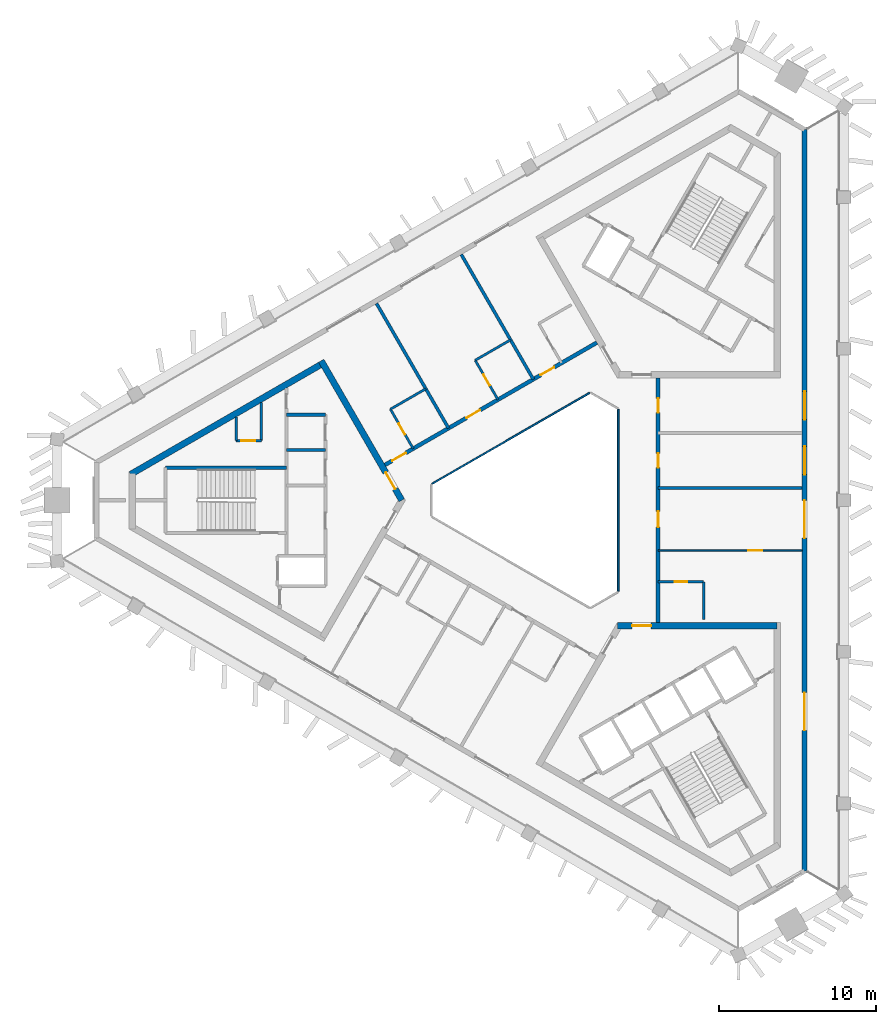
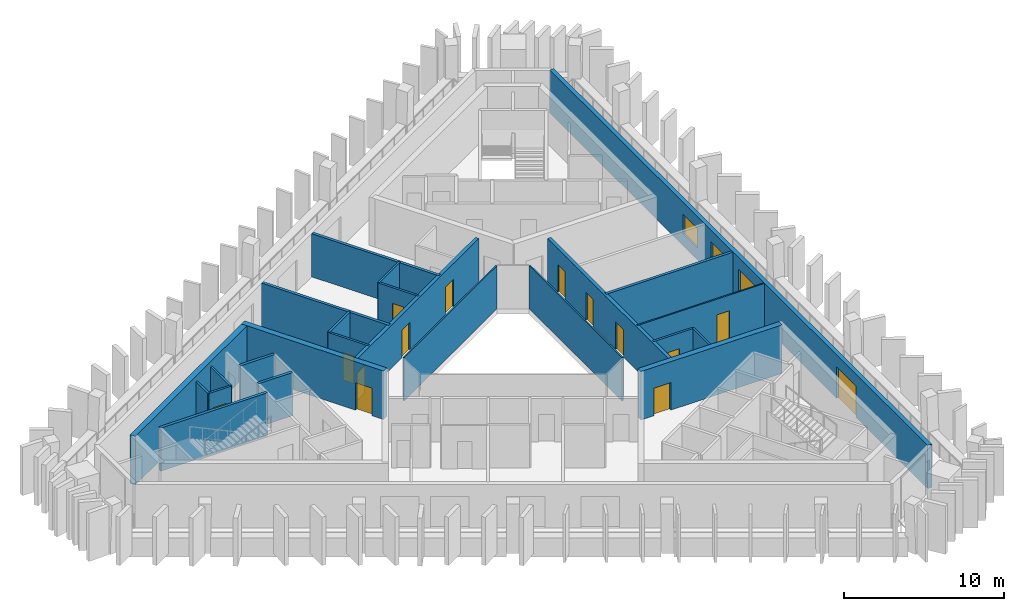
# One storey, part 4 of 9: 24 walls, 15 doors, 2 windows, 17 openings.
"""IFC4 building model written with IfcOpenShell, lengths in metres."""

from ifc_helpers import new_model, si_unit, direction, frame, frame_2d, origin, place, context, subcontext, project, spatial, rectangle, extrude, material, layer, layer_set, type_object, element, fill, save


model = new_model("IFC4")

# Units and contexts
model_context = context("Model", 3, precision=1e-05, world=origin(), true_north=direction((0.0, 1.0)))
body_context = subcontext(model_context, "Body", "Model", "MODEL_VIEW")
ifc_project = project(units=[si_unit("LENGTHUNIT", "METRE"), si_unit("AREAUNIT", "SQUARE_METRE"), si_unit("VOLUMEUNIT", "CUBIC_METRE"), si_unit("PLANEANGLEUNIT", "RADIAN"), si_unit("MASSUNIT", "GRAM", prefix="KILO")], contexts=[model_context])

# Site, building, storey
site_placement = place(None, origin())
site = spatial("IfcSite", under=ifc_project, at=site_placement, CompositionType="ELEMENT")
building_placement = place(site_placement, origin())
building = spatial("IfcBuilding", under=site, at=building_placement, Name="Jabali Bay Hotel Tower and Convention Centre", CompositionType="ELEMENT")
storey_placement = place(building_placement, frame((0.0, 0.0, 281.199951171875)))
storey = spatial("IfcBuildingStorey", under=building, at=storey_placement, Name="L69", CompositionType="ELEMENT", Elevation=281.199951171875)

# Walls
ifc_material_1 = material(Name="Fire-resistant glazing", Category="glass")
ifc_layer_1 = layer(ifc_material_1, 0.10009765625)
ifc_layer_set_1 = layer_set([ifc_layer_1], Name="Fire-resistant glazing")
wall_type_1 = type_object("IfcWallType", Name="Atrium glazed screen 100", PredefinedType="PARTITIONING", material=ifc_layer_set_1)
for number, where, z_axis, x_axis, name in (
    (1, (79.56005859375, 74.205810546875, 0.0), (0.0, 0.0, 1.0), (0.0, 1.0, 0.0), "Atrium screen 1 L69"),
    (2, (77.738037109375, 86.84619140625, 0.0), (0.0, 0.0, 1.0), (-0.866026658274, -0.499997827154, 0.0), "Atrium screen 3 L69"),
):
    element("IfcWall", number, at=place(storey_placement, frame(where, z_axis=z_axis, x_axis=x_axis)), inside=storey, type_object=wall_type_1, Name=name, PredefinedType="PARTITIONING", context=body_context, shape_type="SweptSolid", body=[
        extrude(rectangle(XDim=11.58837890625, YDim=0.10009765625, at=frame_2d((5.794189453125, 0.0))), origin(), (0.0, 0.0, 1.0), 3.300048828125),
    ])

# Wall, opening, door
ifc_material_2 = material(Name="Fire-rated board partition")
ifc_layer_2 = layer(ifc_material_2, 0.14990234375)
ifc_layer_set_2 = layer_set([ifc_layer_2], Name="Fire-rated board partition")
wall_type_2 = type_object("IfcWallType", Name="Core room partition 150", PredefinedType="PARTITIONING", material=ifc_layer_set_2)
wall_1_placement = place(storey_placement, frame((56.820068359375, 83.800048828125, 0.0), z_axis=(0.0, 0.0, 1.0), x_axis=(-1.0, 0.0, 0.0)))
wall_1 = element("IfcWall", 3, at=wall_1_placement, inside=storey, type_object=wall_type_2, Name="Core wall 0.1 L69", PredefinedType="PARTITIONING", context=body_context, shape_type="SweptSolid", body=[
    extrude(rectangle(XDim=1.60009765625, YDim=0.14990234375, at=frame_2d((0.800048828125, 0.0))), origin(), (0.0, 0.0, 1.0), 3.300048828125),
])
opening_1_placement = place(wall_1_placement, frame((0.387451171875, 0.0, 0.0)))
opening_1 = element("IfcOpeningElement", 4, at=opening_1_placement, cuts=wall_1, Name="Opening D1522", PredefinedType="OPENING", context=body_context, shape_type="SweptSolid", body=[
    extrude(rectangle(XDim=0.89990234375, YDim=2.10009765625, at=frame_2d((0.449951171875, 1.050048828125))), frame((0.0, 0.08544921875, 0.0), z_axis=(0.0, -1.0, 0.0), x_axis=(1.0, 0.0, 0.0)), (0.0, 0.0, 1.0), 0.1708984375),
])
ifc_material_3 = material(Name="Fire-rated steel door", Category="steel")
door_type_1 = type_object("IfcDoorType", Name="Core room door 900 x 2100", OperationType="NOTDEFINED", PredefinedType="NOTDEFINED", material=ifc_material_3)
door_1_placement = place(opening_1_placement, origin())
door_1 = element("IfcDoor", 5, at=door_1_placement, inside=storey, type_object=door_type_1, Name="Core room door D1522", OperationType="SINGLE_SWING_LEFT", OverallHeight=2.10009765625, OverallWidth=0.89990234375, PredefinedType="NOTDEFINED", context=body_context, shape_type="SweptSolid", body=[
    extrude(rectangle(XDim=0.89990234375, YDim=2.10009765625, at=frame_2d((0.449951171875, 1.050048828125))), frame((0.0, 0.02490234375, 0.0), z_axis=(0.0, -1.0, 0.0), x_axis=(1.0, 0.0, 0.0)), (0.0, 0.0, 1.0), 0.050048828125),
])
fill(opening_1, door_1)

# Walls
wall_2_placement = place(storey_placement, frame((56.820068359375, 86.223876953125, 0.0), z_axis=(0.0, 0.0, 1.0), x_axis=(0.0, -1.0, 0.0)))
element("IfcWall", 6, at=wall_2_placement, inside=storey, type_object=wall_type_2, Name="Core wall 0.13 L69", PredefinedType="PARTITIONING", context=body_context, shape_type="SweptSolid", body=[
    extrude(rectangle(XDim=2.423828125, YDim=0.14990234375, at=frame_2d((1.2119140625, 0.0))), origin(), (0.0, 0.0, 1.0), 3.300048828125),
])
wall_3_placement = place(storey_placement, frame((55.219970703125, 85.300048828125, 0.0), z_axis=(0.0, 0.0, 1.0), x_axis=(0.0, -1.0, 0.0)))
element("IfcWall", 7, at=wall_3_placement, inside=storey, type_object=wall_type_2, Name="Core wall 0.14 L69", PredefinedType="PARTITIONING", context=body_context, shape_type="SweptSolid", body=[
    extrude(rectangle(XDim=1.5, YDim=0.14990234375, at=frame_2d((0.75, 0.0))), origin(), (0.0, 0.0, 1.0), 3.300048828125),
])
ifc_material_4 = material(Name="Concrete C40", Category="concrete")
ifc_layer_3 = layer(ifc_material_4, 0.199951171875)
ifc_layer_set_3 = layer_set([ifc_layer_3], Name="Concrete C40")
wall_type_3 = type_object("IfcWallType", Name="Core stair wall 200", PredefinedType="SOLIDWALL", material=ifc_layer_set_3)
for number, where, z_axis, x_axis, name in (
    (8, (60.89990234375, 85.449951171875, 0.0), (0.0, 0.0, 1.0), (-1.0, 0.0, 0.0), "Core wall 0.0 L69"),
    (9, (60.89990234375, 83.199951171875, 0.0), (0.0, 0.0, 1.0), (-1.0, 0.0, 0.0), "Core wall 0.2 L69"),
):
    element("IfcWall", number, at=place(storey_placement, frame(where, z_axis=z_axis, x_axis=x_axis)), inside=storey, type_object=wall_type_3, Name=name, PredefinedType="SOLIDWALL", context=body_context, shape_type="SweptSolid", body=[
        extrude(rectangle(XDim=2.47998046875, YDim=0.199951171875, at=frame_2d((1.239990234375, 0.0))), origin(), (0.0, 0.0, 1.0), 3.300048828125),
    ])
wall_4_placement = place(storey_placement, frame((58.419921875, 82.074951171875, 0.0), z_axis=(0.0, 0.0, 1.0), x_axis=(-1.0, 0.0, 0.0)))
element("IfcWall", 10, at=wall_4_placement, inside=storey, type_object=wall_type_3, Name="Core wall 0.3 L69", PredefinedType="SOLIDWALL", context=body_context, shape_type="SweptSolid", body=[
    extrude(rectangle(XDim=7.699951171875, YDim=0.199951171875, at=frame_2d((3.85009765625, 0.0))), origin(), (0.0, 0.0, 1.0), 3.300048828125),
])

# Wall, opening, door
ifc_material_5 = material(Name="Concrete C60", Category="concrete")
ifc_layer_4 = layer(ifc_material_5, 0.39990234375)
ifc_layer_set_4 = layer_set([ifc_layer_4], Name="Concrete C60")
wall_type_4 = type_object("IfcWallType", Name="Core wall 400", PredefinedType="SHEAR", material=ifc_layer_set_4)
wall_5_placement = place(storey_placement, frame((65.76904296875, 80.0, 0.0), z_axis=(0.0, 0.0, 1.0), x_axis=(-0.50000177223, 0.866024380585, 0.0)))
wall_5 = element("IfcWall", 11, at=wall_5_placement, inside=storey, type_object=wall_type_4, Name="Core wall 1.1 L69", PredefinedType="SHEAR", context=body_context, shape_type="SweptSolid", body=[
    extrude(rectangle(XDim=10.2646484375, YDim=0.39990234375, at=frame_2d((5.13232421875, 0.0))), origin(), (0.0, 0.0, 1.0), 3.699951171875),
])
opening_2_placement = place(wall_5_placement, frame((0.83447265625, 0.0, 0.0)))
opening_2 = element("IfcOpeningElement", 12, at=opening_2_placement, cuts=wall_5, Name="Opening D1514", PredefinedType="OPENING", context=body_context, shape_type="SweptSolid", body=[
    extrude(rectangle(XDim=1.199951171875, YDim=2.10009765625, at=frame_2d((0.60009765625, 1.050048828125))), frame((0.0, 0.21044921875, 0.0), z_axis=(0.0, -1.0, 0.0), x_axis=(1.0, 0.0, 0.0)), (0.0, 0.0, 1.0), 0.4208984375),
])
door_type_2 = type_object("IfcDoorType", Name="Corridor end fire door 1200 x 2100", OperationType="NOTDEFINED", PredefinedType="NOTDEFINED", material=ifc_material_3)
door_2_placement = place(opening_2_placement, origin())
door_2 = element("IfcDoor", 13, at=door_2_placement, inside=storey, type_object=door_type_2, Name="Corridor end fire door D1514", OperationType="SINGLE_SWING_RIGHT", OverallHeight=2.10009765625, OverallWidth=1.199951171875, PredefinedType="NOTDEFINED", context=body_context, shape_type="SweptSolid", body=[
    extrude(rectangle(XDim=1.199951171875, YDim=2.10009765625, at=frame_2d((0.60009765625, 1.050048828125))), frame((0.0, 0.02490234375, 0.0), z_axis=(0.0, -1.0, 0.0), x_axis=(1.0, 0.0, 0.0)), (0.0, 0.0, 1.0), 0.050048828125),
])
fill(opening_2, door_2)

# Wall
wall_6_placement = place(storey_placement, frame((60.73681640625, 88.716064453125, 0.0), z_axis=(0.0, 0.0, 1.0), x_axis=(-0.866028812667, -0.499994095595, 0.0)))
element("IfcWall", 14, at=wall_6_placement, inside=storey, type_object=wall_type_4, Name="Core wall 1.2 L69", PredefinedType="SHEAR", context=body_context, shape_type="SweptSolid", body=[
    extrude(rectangle(XDim=14.133544921875, YDim=0.39990234375, at=frame_2d((7.06689453125, 0.0))), origin(), (0.0, 0.0, 1.0), 3.699951171875),
])

# Wall, opening, door
wall_7_placement = place(storey_placement, frame((89.679931640625, 72.005859375, 0.0), z_axis=(0.0, 0.0, 1.0), x_axis=(-1.0, 0.0, 0.0)))
wall_7 = element("IfcWall", 15, at=wall_7_placement, inside=storey, type_object=wall_type_4, Name="Core wall 3.5 L69", PredefinedType="SHEAR", context=body_context, shape_type="SweptSolid", body=[
    extrude(rectangle(XDim=10.179931640625, YDim=0.39990234375, at=frame_2d((5.08984375, 0.0))), origin(), (0.0, 0.0, 1.0), 3.699951171875),
])
opening_3_placement = place(wall_7_placement, frame((8.030029296875, 0.0, 0.0)))
opening_3 = element("IfcOpeningElement", 16, at=opening_3_placement, cuts=wall_7, Name="Opening D1533", PredefinedType="OPENING", context=body_context, shape_type="SweptSolid", body=[
    extrude(rectangle(XDim=1.199951171875, YDim=2.10009765625, at=frame_2d((0.60009765625, 1.050048828125))), frame((0.0, 0.21044921875, 0.0), z_axis=(0.0, -1.0, 0.0), x_axis=(1.0, 0.0, 0.0)), (0.0, 0.0, 1.0), 0.4208984375),
])
door_3_placement = place(opening_3_placement, origin())
door_3 = element("IfcDoor", 17, at=door_3_placement, inside=storey, type_object=door_type_2, Name="Corridor end fire door D1533", OperationType="SINGLE_SWING_LEFT", OverallHeight=2.10009765625, OverallWidth=1.199951171875, PredefinedType="NOTDEFINED", context=body_context, shape_type="SweptSolid", body=[
    extrude(rectangle(XDim=1.199951171875, YDim=2.10009765625, at=frame_2d((0.60009765625, 1.050048828125))), frame((0.0, 0.02490234375, 0.0), z_axis=(0.0, -1.0, 0.0), x_axis=(1.0, 0.0, 0.0)), (0.0, 0.0, 1.0), 0.050048828125),
])
fill(opening_3, door_3)

# Wall, openings, doors
ifc_layer_5 = layer(ifc_material_5, 0.25)
ifc_layer_set_5 = layer_set([ifc_layer_5], Name="Concrete C60")
wall_type_5 = type_object("IfcWallType", Name="Corridor wall 250", PredefinedType="SHEAR", material=ifc_layer_set_5)
wall_8_placement = place(storey_placement, frame((82.10009765625, 72.205810546875, 0.0), z_axis=(0.0, 0.0, 1.0), x_axis=(0.0, 1.0, 0.0)))
wall_8 = element("IfcWall", 18, at=wall_8_placement, inside=storey, type_object=wall_type_5, Name="Corridor wall 1 L69", PredefinedType="SHEAR", context=body_context, shape_type="SweptSolid", body=[
    extrude(rectangle(XDim=15.58837890625, YDim=0.25, at=frame_2d((7.794189453125, 0.0))), origin(), (0.0, 0.0, 1.0), 3.300048828125),
])
opening_4_placement = place(wall_8_placement, frame((6.0869140625, 0.0, 0.0)))
opening_4 = element("IfcOpeningElement", 19, at=opening_4_placement, cuts=wall_8, Name="Opening 6903", PredefinedType="OPENING", context=body_context, shape_type="SweptSolid", body=[
    extrude(rectangle(XDim=1.0, YDim=2.10009765625, at=frame_2d((0.5, 1.050048828125))), frame((0.0, 0.135498046875, 0.0), z_axis=(0.0, -1.0, 0.0), x_axis=(1.0, 0.0, 0.0)), (0.0, 0.0, 1.0), 0.27099609375),
])
opening_5_placement = place(wall_8_placement, frame((9.87744140625, 0.0, 0.0)))
opening_5 = element("IfcOpeningElement", 20, at=opening_5_placement, cuts=wall_8, Name="Opening 6904", PredefinedType="OPENING", context=body_context, shape_type="SweptSolid", body=[
    extrude(rectangle(XDim=0.89990234375, YDim=2.10009765625, at=frame_2d((0.449951171875, 1.050048828125))), frame((0.0, 0.135498046875, 0.0), z_axis=(0.0, -1.0, 0.0), x_axis=(1.0, 0.0, 0.0)), (0.0, 0.0, 1.0), 0.27099609375),
])
opening_6_placement = place(wall_8_placement, frame((13.384765625, 0.0, 0.0)))
opening_6 = element("IfcOpeningElement", 21, at=opening_6_placement, cuts=wall_8, Name="Opening 6905", PredefinedType="OPENING", context=body_context, shape_type="SweptSolid", body=[
    extrude(rectangle(XDim=0.89990234375, YDim=2.10009765625, at=frame_2d((0.449951171875, 1.050048828125))), frame((0.0, 0.135498046875, 0.0), z_axis=(0.0, -1.0, 0.0), x_axis=(1.0, 0.0, 0.0)), (0.0, 0.0, 1.0), 0.27099609375),
])
ifc_material_6 = material(Name="Timber", Category="wood")
door_type_3 = type_object("IfcDoorType", Name="Guest room door 1000 x 2100", OperationType="NOTDEFINED", PredefinedType="NOTDEFINED", material=ifc_material_6)
door_4_placement = place(opening_4_placement, origin())
door_4 = element("IfcDoor", 22, at=door_4_placement, inside=storey, type_object=door_type_3, Name="Door 6903", OperationType="SINGLE_SWING_LEFT", OverallHeight=2.10009765625, OverallWidth=1.0, PredefinedType="NOTDEFINED", context=body_context, shape_type="SweptSolid", body=[
    extrude(rectangle(XDim=1.0, YDim=2.10009765625, at=frame_2d((0.5, 1.050048828125))), frame((0.0, 0.02490234375, 0.0), z_axis=(0.0, -1.0, 0.0), x_axis=(1.0, 0.0, 0.0)), (0.0, 0.0, 1.0), 0.050048828125),
])
fill(opening_4, door_4)
door_type_4 = type_object("IfcDoorType", Name="Internal door 900 x 2100", OperationType="NOTDEFINED", PredefinedType="NOTDEFINED", material=ifc_material_6)
door_5_placement = place(opening_5_placement, origin())
door_5 = element("IfcDoor", 23, at=door_5_placement, inside=storey, type_object=door_type_4, Name="Door 6904", OperationType="SINGLE_SWING_RIGHT", OverallHeight=2.10009765625, OverallWidth=0.89990234375, PredefinedType="NOTDEFINED", context=body_context, shape_type="SweptSolid", body=[
    extrude(rectangle(XDim=0.89990234375, YDim=2.10009765625, at=frame_2d((0.449951171875, 1.050048828125))), frame((0.0, 0.02490234375, 0.0), z_axis=(0.0, -1.0, 0.0), x_axis=(1.0, 0.0, 0.0)), (0.0, 0.0, 1.0), 0.050048828125),
])
fill(opening_5, door_5)
door_6_placement = place(opening_6_placement, origin())
door_6 = element("IfcDoor", 24, at=door_6_placement, inside=storey, type_object=door_type_4, Name="Door 6905", OperationType="SINGLE_SWING_RIGHT", OverallHeight=2.10009765625, OverallWidth=0.89990234375, PredefinedType="NOTDEFINED", context=body_context, shape_type="SweptSolid", body=[
    extrude(rectangle(XDim=0.89990234375, YDim=2.10009765625, at=frame_2d((0.449951171875, 1.050048828125))), frame((0.0, 0.02490234375, 0.0), z_axis=(0.0, -1.0, 0.0), x_axis=(1.0, 0.0, 0.0)), (0.0, 0.0, 1.0), 0.050048828125),
])
fill(opening_6, door_6)

wall_9_placement = place(storey_placement, frame((78.199951171875, 90.0458984375, 0.0), z_axis=(0.0, 0.0, 1.0), x_axis=(-0.866026492143, -0.499998114903, 0.0)))
wall_9 = element("IfcWall", 25, at=wall_9_placement, inside=storey, type_object=wall_type_5, Name="Corridor wall 2 L69", PredefinedType="SHEAR", context=body_context, shape_type="SweptSolid", body=[
    extrude(rectangle(XDim=15.58837890625, YDim=0.25, at=frame_2d((7.794189453125, 0.0))), origin(), (0.0, 0.0, 1.0), 3.300048828125),
])
opening_7_placement = place(wall_9_placement, frame((3.13818359375, 0.0, 0.0)))
opening_7 = element("IfcOpeningElement", 26, at=opening_7_placement, cuts=wall_9, Name="Opening 6907", PredefinedType="OPENING", context=body_context, shape_type="SweptSolid", body=[
    extrude(rectangle(XDim=1.0, YDim=2.10009765625, at=frame_2d((0.5, 1.050048828125))), frame((0.0, 0.135498046875, 0.0), z_axis=(0.0, -1.0, 0.0), x_axis=(1.0, 0.0, 0.0)), (0.0, 0.0, 1.0), 0.27099609375),
])
opening_8_placement = place(wall_9_placement, frame((8.59423828125, 0.0, 0.0)))
opening_8 = element("IfcOpeningElement", 27, at=opening_8_placement, cuts=wall_9, Name="Opening 6909", PredefinedType="OPENING", context=body_context, shape_type="SweptSolid", body=[
    extrude(rectangle(XDim=1.0, YDim=2.10009765625, at=frame_2d((0.5, 1.050048828125))), frame((0.0, 0.135498046875, 0.0), z_axis=(0.0, -1.0, 0.0), x_axis=(1.0, 0.0, 0.0)), (0.0, 0.0, 1.0), 0.27099609375),
])
opening_9_placement = place(wall_9_placement, frame((14.05029296875, 0.0, 0.0)))
opening_9 = element("IfcOpeningElement", 28, at=opening_9_placement, cuts=wall_9, Name="Opening 6911", PredefinedType="OPENING", context=body_context, shape_type="SweptSolid", body=[
    extrude(rectangle(XDim=1.0, YDim=2.10009765625, at=frame_2d((0.5, 1.050048828125))), frame((0.0, 0.135498046875, 0.0), z_axis=(0.0, -1.0, 0.0), x_axis=(1.0, 0.0, 0.0)), (0.0, 0.0, 1.0), 0.27099609375),
])
door_7_placement = place(opening_7_placement, origin())
door_7 = element("IfcDoor", 29, at=door_7_placement, inside=storey, type_object=door_type_3, Name="Door 6907", OperationType="SINGLE_SWING_LEFT", OverallHeight=2.10009765625, OverallWidth=1.0, PredefinedType="NOTDEFINED", context=body_context, shape_type="SweptSolid", body=[
    extrude(rectangle(XDim=1.0, YDim=2.10009765625, at=frame_2d((0.5, 1.050048828125))), frame((0.0, 0.02490234375, 0.0), z_axis=(0.0, -1.0, 0.0), x_axis=(1.0, 0.0, 0.0)), (0.0, 0.0, 1.0), 0.050048828125),
])
fill(opening_7, door_7)
door_8_placement = place(opening_8_placement, origin())
door_8 = element("IfcDoor", 30, at=door_8_placement, inside=storey, type_object=door_type_3, Name="Door 6909", OperationType="SINGLE_SWING_RIGHT", OverallHeight=2.10009765625, OverallWidth=1.0, PredefinedType="NOTDEFINED", context=body_context, shape_type="SweptSolid", body=[
    extrude(rectangle(XDim=1.0, YDim=2.10009765625, at=frame_2d((0.5, 1.050048828125))), frame((0.0, 0.02490234375, 0.0), z_axis=(0.0, -1.0, 0.0), x_axis=(1.0, 0.0, 0.0)), (0.0, 0.0, 1.0), 0.050048828125),
])
fill(opening_8, door_8)
door_9_placement = place(opening_9_placement, origin())
door_9 = element("IfcDoor", 31, at=door_9_placement, inside=storey, type_object=door_type_3, Name="Door 6911", OperationType="SINGLE_SWING_RIGHT", OverallHeight=2.10009765625, OverallWidth=1.0, PredefinedType="NOTDEFINED", context=body_context, shape_type="SweptSolid", body=[
    extrude(rectangle(XDim=1.0, YDim=2.10009765625, at=frame_2d((0.5, 1.050048828125))), frame((0.0, 0.02490234375, 0.0), z_axis=(0.0, -1.0, 0.0), x_axis=(1.0, 0.0, 0.0)), (0.0, 0.0, 1.0), 0.050048828125),
])
fill(opening_9, door_9)

# Wall, openings, doors, windows
ifc_layer_6 = layer(ifc_material_4, 0.300048828125)
ifc_layer_set_6 = layer_set([ifc_layer_6], Name="Concrete C40")
wall_type_6 = type_object("IfcWallType", Name="External wall 300", PredefinedType="SOLIDWALL", material=ifc_layer_set_6)
wall_10_placement = place(storey_placement, frame((91.428466796875, 103.62255859375, 0.0), z_axis=(0.0, 0.0, 1.0), x_axis=(0.0, -1.0, 0.0)))
wall_10 = element("IfcWall", 32, at=wall_10_placement, inside=storey, type_object=wall_type_6, Name="External wall east face L69", PredefinedType="SOLIDWALL", context=body_context, shape_type="SweptSolid", body=[
    extrude(rectangle(XDim=47.2451171875, YDim=0.300048828125, at=frame_2d((23.62255859375, 0.0))), origin(), (0.0, 0.0, 1.0), 3.300048828125),
])
opening_10_placement = place(wall_10_placement, frame((35.87451171875, 0.0, 0.0)))
opening_10 = element("IfcOpeningElement", 33, at=opening_10_placement, cuts=wall_10, Name="Opening SD1", PredefinedType="OPENING", context=body_context, shape_type="SweptSolid", body=[
    extrude(rectangle(XDim=2.39990234375, YDim=2.39990234375, at=frame_2d((1.199951171875, 1.199951171875))), frame((0.0, 0.16064453125, 0.0), z_axis=(0.0, -1.0, 0.0), x_axis=(1.0, 0.0, 0.0)), (0.0, 0.0, 1.0), 0.321044921875),
])
opening_11_placement = place(wall_10_placement, frame((23.6298828125, 0.0, 0.0)))
opening_11 = element("IfcOpeningElement", 34, at=opening_11_placement, cuts=wall_10, Name="Opening SD1", PredefinedType="OPENING", context=body_context, shape_type="SweptSolid", body=[
    extrude(rectangle(XDim=2.39990234375, YDim=2.39990234375, at=frame_2d((1.199951171875, 1.199951171875))), frame((0.0, 0.16064453125, 0.0), z_axis=(0.0, -1.0, 0.0), x_axis=(1.0, 0.0, 0.0)), (0.0, 0.0, 1.0), 0.321044921875),
])
opening_12_placement = place(wall_10_placement, frame((20.189453125, 0.0, 0.89990234375)))
opening_12 = element("IfcOpeningElement", 35, at=opening_12_placement, cuts=wall_10, Name="Opening W1", PredefinedType="OPENING", context=body_context, shape_type="SweptSolid", body=[
    extrude(rectangle(XDim=1.800048828125, YDim=1.5, at=frame_2d((0.89990234375, 0.75))), frame((0.0, 0.16064453125, 0.0), z_axis=(0.0, -1.0, 0.0), x_axis=(1.0, 0.0, 0.0)), (0.0, 0.0, 1.0), 0.321044921875),
])
opening_13_placement = place(wall_10_placement, frame((16.681884765625, 0.0, 0.89990234375)))
opening_13 = element("IfcOpeningElement", 36, at=opening_13_placement, cuts=wall_10, Name="Opening W1", PredefinedType="OPENING", context=body_context, shape_type="SweptSolid", body=[
    extrude(rectangle(XDim=1.800048828125, YDim=1.5, at=frame_2d((0.89990234375, 0.75))), frame((0.0, 0.16064453125, 0.0), z_axis=(0.0, -1.0, 0.0), x_axis=(1.0, 0.0, 0.0)), (0.0, 0.0, 1.0), 0.321044921875),
])
ifc_material_7 = material(Name="Glass", Category="glass")
door_type_5 = type_object("IfcDoorType", Name="Loggia sliding door 2400 x 2400", OperationType="NOTDEFINED", PredefinedType="NOTDEFINED", material=ifc_material_7)
door_10_placement = place(opening_10_placement, origin())
door_10 = element("IfcDoor", 37, at=door_10_placement, inside=storey, type_object=door_type_5, Name="Loggia sliding door 6901", OperationType="SLIDING_TO_LEFT", OverallHeight=2.39990234375, OverallWidth=2.39990234375, PredefinedType="NOTDEFINED", context=body_context, shape_type="SweptSolid", body=[
    extrude(rectangle(XDim=2.39990234375, YDim=2.39990234375, at=frame_2d((1.199951171875, 1.199951171875))), frame((0.0, 0.02490234375, 0.0), z_axis=(0.0, -1.0, 0.0), x_axis=(1.0, 0.0, 0.0)), (0.0, 0.0, 1.0), 0.050048828125),
])
fill(opening_10, door_10)
door_11_placement = place(opening_11_placement, origin())
door_11 = element("IfcDoor", 38, at=door_11_placement, inside=storey, type_object=door_type_5, Name="Loggia sliding door 6901", OperationType="SLIDING_TO_RIGHT", OverallHeight=2.39990234375, OverallWidth=2.39990234375, PredefinedType="NOTDEFINED", context=body_context, shape_type="SweptSolid", body=[
    extrude(rectangle(XDim=2.39990234375, YDim=2.39990234375, at=frame_2d((1.199951171875, 1.199951171875))), frame((0.0, 0.02490234375, 0.0), z_axis=(0.0, -1.0, 0.0), x_axis=(1.0, 0.0, 0.0)), (0.0, 0.0, 1.0), 0.050048828125),
])
fill(opening_11, door_11)
window_type = type_object("IfcWindowType", Name="Window 1800 x 1500", PartitioningType="SINGLE_PANEL", PredefinedType="WINDOW", material=ifc_material_7)
window_1_placement = place(opening_12_placement, origin())
window_1 = element("IfcWindow", 39, at=window_1_placement, inside=storey, type_object=window_type, Name="Window 6902", OverallHeight=1.5, OverallWidth=1.800048828125, PartitioningType="SINGLE_PANEL", PredefinedType="WINDOW", context=body_context, shape_type="SweptSolid", body=[
    extrude(rectangle(XDim=1.800048828125, YDim=1.5, at=frame_2d((0.89990234375, 0.75))), frame((0.0, 0.030029296875, 0.0), z_axis=(0.0, -1.0, 0.0), x_axis=(1.0, 0.0, 0.0)), (0.0, 0.0, 1.0), 0.06005859375),
])
fill(opening_12, window_1)
window_2_placement = place(opening_13_placement, origin())
window_2 = element("IfcWindow", 40, at=window_2_placement, inside=storey, type_object=window_type, Name="Window 6903", OverallHeight=1.5, OverallWidth=1.800048828125, PartitioningType="SINGLE_PANEL", PredefinedType="WINDOW", context=body_context, shape_type="SweptSolid", body=[
    extrude(rectangle(XDim=1.800048828125, YDim=1.5, at=frame_2d((0.89990234375, 0.75))), frame((0.0, 0.030029296875, 0.0), z_axis=(0.0, -1.0, 0.0), x_axis=(1.0, 0.0, 0.0)), (0.0, 0.0, 1.0), 0.06005859375),
])
fill(opening_13, window_2)

# Wall, opening, door
ifc_material_8 = material(Name="Plasterboard on steel stud", Category="steel")
ifc_layer_7 = layer(ifc_material_8, 0.10009765625)
ifc_layer_set_7 = layer_set([ifc_layer_7], Name="Plasterboard on steel stud")
wall_type_7 = type_object("IfcWallType", Name="Partition 100 unit", PredefinedType="PARTITIONING", material=ifc_layer_set_7)
wall_11_placement = place(storey_placement, frame((91.278564453125, 76.8056640625, 0.0), z_axis=(0.0, 0.0, 1.0), x_axis=(-1.0, 0.0, 0.0)))
wall_11 = element("IfcWall", 41, at=wall_11_placement, inside=storey, type_object=wall_type_7, Name="Partition P02 L69 001", PredefinedType="PARTITIONING", context=body_context, shape_type="SweptSolid", body=[
    extrude(rectangle(XDim=9.178466796875, YDim=0.10009765625, at=frame_2d((4.58935546875, 0.0))), origin(), (0.0, 0.0, 1.0), 3.300048828125),
])
opening_14_placement = place(wall_11_placement, frame((2.5390625, 0.0, 0.0)))
opening_14 = element("IfcOpeningElement", 42, at=opening_14_placement, cuts=wall_11, Name="Opening 6902", PredefinedType="OPENING", context=body_context, shape_type="SweptSolid", body=[
    extrude(rectangle(XDim=0.89990234375, YDim=2.10009765625, at=frame_2d((0.449951171875, 1.050048828125))), frame((0.0, 0.060546875, 0.0), z_axis=(0.0, -1.0, 0.0), x_axis=(1.0, 0.0, 0.0)), (0.0, 0.0, 1.0), 0.12109375),
])
door_12_placement = place(opening_14_placement, origin())
door_12 = element("IfcDoor", 43, at=door_12_placement, inside=storey, type_object=door_type_4, Name="Door 6902", OperationType="SINGLE_SWING_RIGHT", OverallHeight=2.10009765625, OverallWidth=0.89990234375, PredefinedType="NOTDEFINED", context=body_context, shape_type="SweptSolid", body=[
    extrude(rectangle(XDim=0.89990234375, YDim=2.10009765625, at=frame_2d((0.449951171875, 1.050048828125))), frame((0.0, 0.02490234375, 0.0), z_axis=(0.0, -1.0, 0.0), x_axis=(1.0, 0.0, 0.0)), (0.0, 0.0, 1.0), 0.050048828125),
])
fill(opening_14, door_12)

ifc_layer_8 = layer(ifc_material_8, 0.14990234375)
ifc_layer_set_8 = layer_set([ifc_layer_8], Name="Plasterboard on steel stud")
wall_type_8 = type_object("IfcWallType", Name="Partition 150 wet", PredefinedType="PARTITIONING", material=ifc_layer_set_8)
wall_12_placement = place(storey_placement, frame((82.10009765625, 74.8056640625, 0.0), z_axis=(0.0, 0.0, 1.0), x_axis=(1.0, 0.0, 0.0)))
wall_12 = element("IfcWall", 44, at=wall_12_placement, inside=storey, type_object=wall_type_8, Name="Partition P03 L69 002", PredefinedType="PARTITIONING", context=body_context, shape_type="SweptSolid", body=[
    extrude(rectangle(XDim=2.89990234375, YDim=0.14990234375, at=frame_2d((1.449951171875, 0.0))), origin(), (0.0, 0.0, 1.0), 3.300048828125),
])
opening_15_placement = place(wall_12_placement, frame((1.050048828125, 0.0, 0.0)))
opening_15 = element("IfcOpeningElement", 45, at=opening_15_placement, cuts=wall_12, Name="Opening 6901", PredefinedType="OPENING", context=body_context, shape_type="SweptSolid", body=[
    extrude(rectangle(XDim=0.800048828125, YDim=2.10009765625, at=frame_2d((0.39990234375, 1.050048828125))), frame((0.0, 0.08544921875, 0.0), z_axis=(0.0, -1.0, 0.0), x_axis=(1.0, 0.0, 0.0)), (0.0, 0.0, 1.0), 0.1708984375),
])
door_type_6 = type_object("IfcDoorType", Name="En-suite door 800 x 2100", OperationType="NOTDEFINED", PredefinedType="NOTDEFINED", material=ifc_material_6)
door_13_placement = place(opening_15_placement, origin())
door_13 = element("IfcDoor", 46, at=door_13_placement, inside=storey, type_object=door_type_6, Name="Door 6901", OperationType="SINGLE_SWING_LEFT", OverallHeight=2.10009765625, OverallWidth=0.800048828125, PredefinedType="NOTDEFINED", context=body_context, shape_type="SweptSolid", body=[
    extrude(rectangle(XDim=0.800048828125, YDim=2.10009765625, at=frame_2d((0.39990234375, 1.050048828125))), frame((0.0, 0.02490234375, 0.0), z_axis=(0.0, -1.0, 0.0), x_axis=(1.0, 0.0, 0.0)), (0.0, 0.0, 1.0), 0.050048828125),
])
fill(opening_15, door_13)

# Wall
wall_13_placement = place(storey_placement, frame((85.0, 74.8056640625, 0.0), z_axis=(0.0, 0.0, 1.0), x_axis=(0.0, -1.0, 0.0)))
element("IfcWall", 47, at=wall_13_placement, inside=storey, type_object=wall_type_8, Name="Partition P03 L69 003", PredefinedType="PARTITIONING", context=body_context, shape_type="SweptSolid", body=[
    extrude(rectangle(XDim=2.39990234375, YDim=0.14990234375, at=frame_2d((1.199951171875, 0.0))), origin(), (0.0, 0.0, 1.0), 3.300048828125),
])

# Wall, opening, door
wall_14_placement = place(storey_placement, frame((71.8984375, 86.40771484375, 0.0), z_axis=(0.0, 0.0, 1.0), x_axis=(-0.50005036918, 0.865996321171, 0.0)))
wall_14 = element("IfcWall", 48, at=wall_14_placement, inside=storey, type_object=wall_type_8, Name="Partition P03 L69 011", PredefinedType="PARTITIONING", context=body_context, shape_type="SweptSolid", body=[
    extrude(rectangle(XDim=2.900146484375, YDim=0.14990234375, at=frame_2d((1.4501953125, 0.0))), origin(), (0.0, 0.0, 1.0), 3.300048828125),
])
opening_16_placement = place(wall_14_placement, frame((1.050048828125, 0.0, 0.0)))
opening_16 = element("IfcOpeningElement", 49, at=opening_16_placement, cuts=wall_14, Name="Opening 6908", PredefinedType="OPENING", context=body_context, shape_type="SweptSolid", body=[
    extrude(rectangle(XDim=0.800048828125, YDim=2.10009765625, at=frame_2d((0.39990234375, 1.050048828125))), frame((0.0, 0.08544921875, 0.0), z_axis=(0.0, -1.0, 0.0), x_axis=(1.0, 0.0, 0.0)), (0.0, 0.0, 1.0), 0.1708984375),
])
door_14_placement = place(opening_16_placement, origin())
door_14 = element("IfcDoor", 50, at=door_14_placement, inside=storey, type_object=door_type_6, Name="Door 6908", OperationType="SINGLE_SWING_LEFT", OverallHeight=2.10009765625, OverallWidth=0.800048828125, PredefinedType="NOTDEFINED", context=body_context, shape_type="SweptSolid", body=[
    extrude(rectangle(XDim=0.800048828125, YDim=2.10009765625, at=frame_2d((0.39990234375, 1.050048828125))), frame((0.0, 0.02490234375, 0.0), z_axis=(0.0, -1.0, 0.0), x_axis=(1.0, 0.0, 0.0)), (0.0, 0.0, 1.0), 0.050048828125),
])
fill(opening_16, door_14)

# Wall
wall_15_placement = place(storey_placement, frame((70.4482421875, 88.919189453125, 0.0), z_axis=(0.0, 0.0, 1.0), x_axis=(0.866062058628, 0.499936506574, 0.0)))
element("IfcWall", 51, at=wall_15_placement, inside=storey, type_object=wall_type_8, Name="Partition P03 L69 012", PredefinedType="PARTITIONING", context=body_context, shape_type="SweptSolid", body=[
    extrude(rectangle(XDim=2.599853515625, YDim=0.14990234375, at=frame_2d((1.2998046875, 0.0))), origin(), (0.0, 0.0, 1.0), 3.300048828125),
])

# Wall, opening, door
wall_16_placement = place(storey_placement, frame((66.498291015625, 83.2900390625, 0.0), z_axis=(0.0, 0.0, 1.0), x_axis=(-0.499987231761, 0.866032775405, 0.0)))
wall_16 = element("IfcWall", 52, at=wall_16_placement, inside=storey, type_object=wall_type_8, Name="Partition P03 L69 014", PredefinedType="PARTITIONING", context=body_context, shape_type="SweptSolid", body=[
    extrude(rectangle(XDim=2.89990234375, YDim=0.14990234375, at=frame_2d((1.449951171875, 0.0))), origin(), (0.0, 0.0, 1.0), 3.300048828125),
])
opening_17_placement = place(wall_16_placement, frame((1.050048828125, 0.0, 0.0)))
opening_17 = element("IfcOpeningElement", 53, at=opening_17_placement, cuts=wall_16, Name="Opening 6910", PredefinedType="OPENING", context=body_context, shape_type="SweptSolid", body=[
    extrude(rectangle(XDim=0.800048828125, YDim=2.10009765625, at=frame_2d((0.39990234375, 1.050048828125))), frame((0.0, 0.08544921875, 0.0), z_axis=(0.0, -1.0, 0.0), x_axis=(1.0, 0.0, 0.0)), (0.0, 0.0, 1.0), 0.1708984375),
])
door_15_placement = place(opening_17_placement, origin())
door_15 = element("IfcDoor", 54, at=door_15_placement, inside=storey, type_object=door_type_6, Name="Door 6910", OperationType="SINGLE_SWING_LEFT", OverallHeight=2.10009765625, OverallWidth=0.800048828125, PredefinedType="NOTDEFINED", context=body_context, shape_type="SweptSolid", body=[
    extrude(rectangle(XDim=0.800048828125, YDim=2.10009765625, at=frame_2d((0.39990234375, 1.050048828125))), frame((0.0, 0.02490234375, 0.0), z_axis=(0.0, -1.0, 0.0), x_axis=(1.0, 0.0, 0.0)), (0.0, 0.0, 1.0), 0.050048828125),
])
fill(opening_17, door_15)

# Walls
wall_17_placement = place(storey_placement, frame((65.04833984375, 85.801513671875, 0.0), z_axis=(0.0, 0.0, 1.0), x_axis=(0.866062058628, 0.499936506574, 0.0)))
element("IfcWall", 55, at=wall_17_placement, inside=storey, type_object=wall_type_8, Name="Partition P03 L69 015", PredefinedType="PARTITIONING", context=body_context, shape_type="SweptSolid", body=[
    extrude(rectangle(XDim=2.599853515625, YDim=0.14990234375, at=frame_2d((1.2998046875, 0.0))), origin(), (0.0, 0.0, 1.0), 3.300048828125),
])
ifc_layer_9 = layer(ifc_material_8, 0.199951171875)
ifc_layer_set_9 = layer_set([ifc_layer_9], Name="Plasterboard on steel stud")
wall_type_9 = type_object("IfcWallType", Name="Partition 200 party", PredefinedType="PARTITIONING", material=ifc_layer_set_9)
for number, where, z_axis, x_axis, name in (
    (56, (91.279541015625, 80.779541015625, 0.0), (0.0, 0.0, 1.0), (-1.0, 0.0, 0.0), "Partition P01 L69 005"),
    (57, (69.560302734375, 95.6572265625, 0.0), (0.0, 0.0, 1.0), (0.49998644642, -0.866033228806, 0.0), "Partition P01 L69 010"),
):
    element("IfcWall", number, at=place(storey_placement, frame(where, z_axis=z_axis, x_axis=x_axis)), inside=storey, type_object=wall_type_9, Name=name, PredefinedType="PARTITIONING", context=body_context, shape_type="SweptSolid", body=[
        extrude(rectangle(XDim=9.179443359375, YDim=0.199951171875, at=frame_2d((4.58984375, 0.0))), origin(), (0.0, 0.0, 1.0), 3.300048828125),
    ])
wall_18_placement = place(storey_placement, frame((64.16015625, 92.53955078125, 0.0), z_axis=(0.0, 0.0, 1.0), x_axis=(0.500006393711, -0.866021712342, 0.0)))
element("IfcWall", 58, at=wall_18_placement, inside=storey, type_object=wall_type_9, Name="Partition P01 L69 013", PredefinedType="PARTITIONING", context=body_context, shape_type="SweptSolid", body=[
    extrude(rectangle(XDim=9.1796875, YDim=0.199951171875, at=frame_2d((4.58984375, 0.0))), origin(), (0.0, 0.0, 1.0), 3.300048828125),
])

save(model, "model.ifc")
